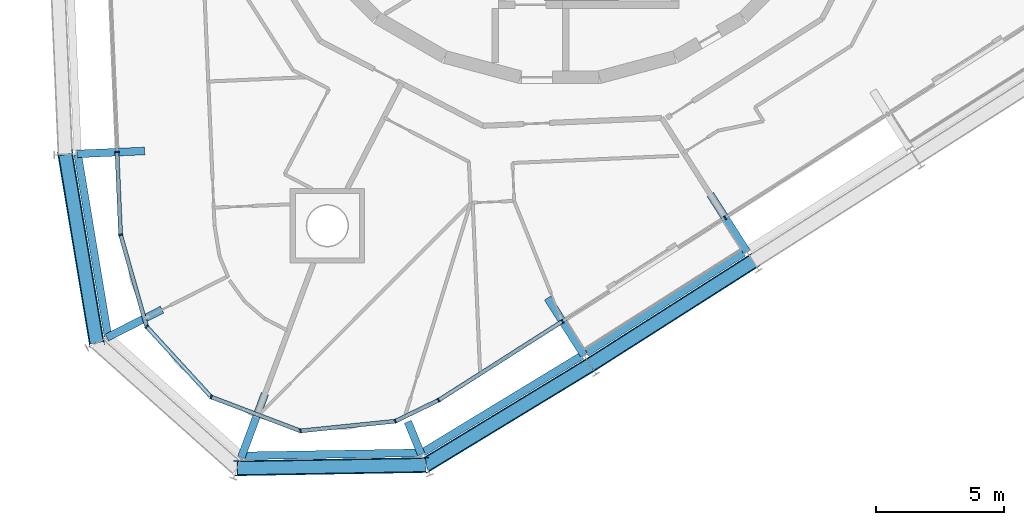
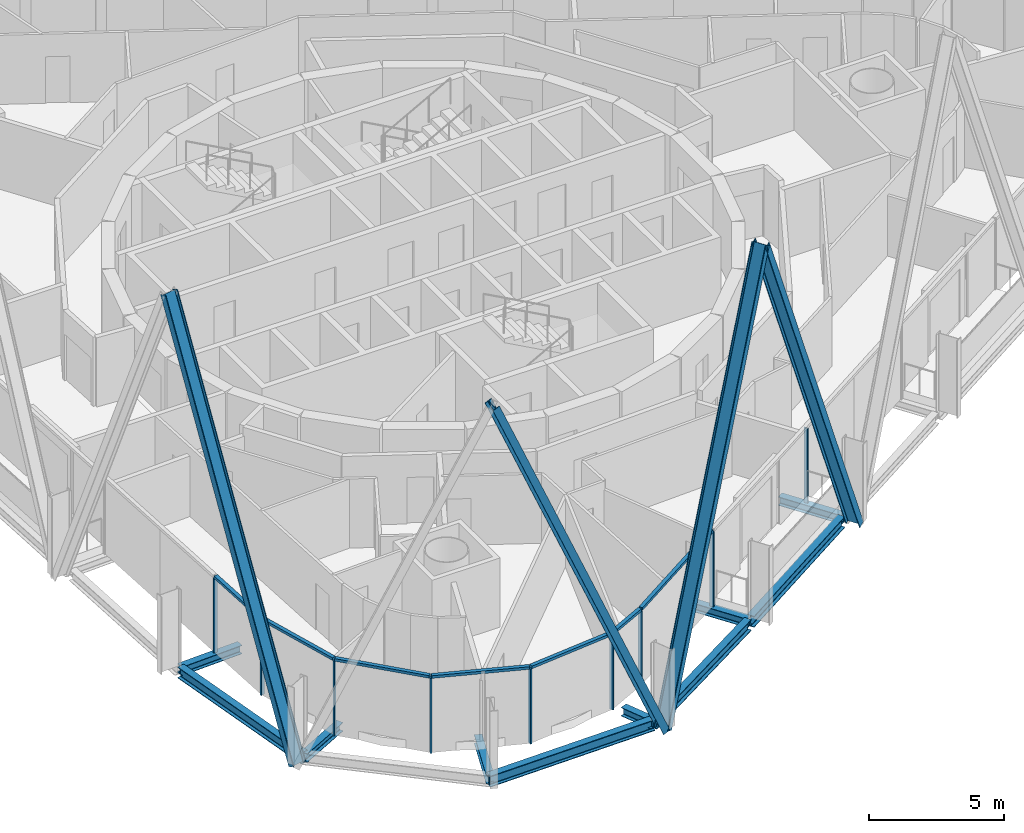
# One storey, part 2 of 18: 20 members, 10 beams, 2 elements without a shape of their own.
"""IFC4 building model written with IfcOpenShell, lengths in metres."""

from ifc_helpers import new_model, si_unit, direction, frame, origin, origin_2d, place, context, subcontext, project, spatial, rectangle, i_section, extrude, material, layer, layer_set, material_profile, profile_set, type_object, element, aggregate, save


model = new_model("IFC4")

# Units and contexts
model_context = context("Model", 3, precision=1e-05, world=origin(), true_north=direction((0.0, 1.0)))
body_context = subcontext(model_context, "Body", "Model", "MODEL_VIEW")
ifc_project = project(units=[si_unit("LENGTHUNIT", "METRE"), si_unit("AREAUNIT", "SQUARE_METRE"), si_unit("VOLUMEUNIT", "CUBIC_METRE"), si_unit("PLANEANGLEUNIT", "RADIAN"), si_unit("MASSUNIT", "GRAM", prefix="KILO")], contexts=[model_context])

# Site, building, storey
site_placement = place(None, origin())
site = spatial("IfcSite", under=ifc_project, at=site_placement, CompositionType="ELEMENT")
building_placement = place(site_placement, origin())
building = spatial("IfcBuilding", under=site, at=building_placement, Name="Spindle Arch Residences", CompositionType="ELEMENT")
storey_placement = place(building_placement, frame((0.0, 0.0, 240.699951171875)))
storey = spatial("IfcBuildingStorey", under=building, at=storey_placement, Name="L61", CompositionType="ELEMENT", Elevation=240.699951171875)

# Curtain wall, members
ifc_material_1 = material(Name="Aluminium bronze unitised frame with tinted glass", Category="aluminium")
ifc_layer_1 = layer(ifc_material_1, 0.159912109375)
ifc_layer_set_1 = layer_set([ifc_layer_1], Name="CW-D corner wall on the fillet arcs")
curtain_wall_type_1 = type_object("IfcCurtainWallType", Name="CW-D corner wall on the fillet arcs", PredefinedType="NOTDEFINED", material=ifc_layer_set_1)
curtain_wall_1_placement = place(storey_placement, origin())
curtain_wall_1 = element("IfcCurtainWall", 1, at=curtain_wall_1_placement, inside=storey, type_object=curtain_wall_type_1, Name="CW-D L61 run 5", PredefinedType="NOTDEFINED")
ifc_material_2 = material(Name="Aluminium bronze anodised mullion", Category="aluminium")
ifc_material_profile_1 = material_profile(ifc_material_2, rectangle(XDim=0.159912109375, YDim=0.06005859375, at=origin_2d()), Name="MU 60x160")
ifc_profile_set_1 = profile_set([ifc_material_profile_1], Name="Aluminium bronze anodised mullion")
member_type_1 = type_object("IfcMemberType", Name="Bronze mullion 60x160", PredefinedType="MULLION", material=ifc_profile_set_1)
member_1_placement = place(storey_placement, frame((-17.295166015625, -14.573486328125, -0.3798828125), z_axis=(0.0, 0.0, 1.0), x_axis=(0.999048221582, 0.043619387365, 0.0)))
member_1 = element("IfcMember", 2, at=member_1_placement, type_object=member_type_1, Name="CW-D mullion 00", PredefinedType="MULLION", context=body_context, shape_type="SweptSolid", body=[
    extrude(rectangle(XDim=0.159912109375, YDim=0.06005859375, at=origin_2d()), origin(), (0.0, 0.0, 1.0), 3.3798828125),
])
member_2_placement = place(storey_placement, frame((-17.154296875, -17.798828125, -0.3798828125), z_axis=(0.0, 0.0, 1.0), x_axis=(0.962059424213, 0.272839997585, 0.0)))
member_2 = element("IfcMember", 3, at=member_2_placement, type_object=member_type_1, Name="CW-D mullion 01", PredefinedType="MULLION", context=body_context, shape_type="SweptSolid", body=[
    extrude(rectangle(XDim=0.159912109375, YDim=0.06005859375, at=origin_2d()), origin(), (0.0, 0.0, 1.0), 3.3798828125),
])
member_3_placement = place(storey_placement, frame((-16.137451171875, -21.384033203125, -0.3798828125), z_axis=(0.0, 0.0, 1.0), x_axis=(0.737277336881, 0.675590207538, 0.0)))
member_3 = element("IfcMember", 4, at=member_3_placement, type_object=member_type_1, Name="CW-D mullion 02", PredefinedType="MULLION", context=body_context, shape_type="SweptSolid", body=[
    extrude(rectangle(XDim=0.159912109375, YDim=0.06005859375, at=origin_2d()), origin(), (0.0, 0.0, 1.0), 3.3798828125),
])
member_4_placement = place(storey_placement, frame((-13.61962890625, -24.1318359375, -0.3798828125), z_axis=(0.0, 0.0, 1.0), x_axis=(0.355650760994, 0.934618925661, 0.0)))
member_4 = element("IfcMember", 5, at=member_4_placement, type_object=member_type_1, Name="CW-D mullion 03", PredefinedType="MULLION", context=body_context, shape_type="SweptSolid", body=[
    extrude(rectangle(XDim=0.159912109375, YDim=0.06005859375, at=origin_2d()), origin(), (0.0, 0.0, 1.0), 3.3798828125),
])
member_5_placement = place(storey_placement, frame((-10.13671875, -25.457275390625, -0.3798828125), z_axis=(0.0, 0.0, 1.0), x_axis=(-0.10163508092, 0.994821748016, 0.0)))
member_5 = element("IfcMember", 6, at=member_5_placement, type_object=member_type_1, Name="CW-D mullion 04", PredefinedType="MULLION", context=body_context, shape_type="SweptSolid", body=[
    extrude(rectangle(XDim=0.159912109375, YDim=0.06005859375, at=origin_2d()), origin(), (0.0, 0.0, 1.0), 3.3798828125),
])
member_6_placement = place(storey_placement, frame((-6.42919921875, -25.078369140625, -0.3798828125), z_axis=(0.0, 0.0, 1.0), x_axis=(-0.435754813823, 0.900065409973, 0.0)))
member_6 = element("IfcMember", 7, at=member_6_placement, type_object=member_type_1, Name="CW-D mullion 05", PredefinedType="MULLION", context=body_context, shape_type="SweptSolid", body=[
    extrude(rectangle(XDim=0.159912109375, YDim=0.06005859375, at=origin_2d()), origin(), (0.0, 0.0, 1.0), 3.3798828125),
])
member_7_placement = place(storey_placement, frame((-4.74072265625, -24.260986328125, -0.3798828125), z_axis=(0.0, 0.0, 1.0), x_axis=(-0.537299608347, 0.843391445813, 0.0)))
member_7 = element("IfcMember", 8, at=member_7_placement, type_object=member_type_1, Name="CW-D mullion 06", PredefinedType="MULLION", context=body_context, shape_type="SweptSolid", body=[
    extrude(rectangle(XDim=0.159912109375, YDim=0.06005859375, at=origin_2d()), origin(), (0.0, 0.0, 1.0), 3.3798828125),
])

ifc_material_3 = material(Name="Aluminium bronze unitised frame with tinted glass", Category="aluminium")
ifc_layer_2 = layer(ifc_material_3, 0.159912109375)
ifc_layer_set_2 = layer_set([ifc_layer_2], Name="CW-C typical residential unitised wall")
curtain_wall_type_2 = type_object("IfcCurtainWallType", Name="CW-C typical residential unitised wall", PredefinedType="NOTDEFINED", material=ifc_layer_set_2)
curtain_wall_2_placement = place(storey_placement, origin())
curtain_wall_2 = element("IfcCurtainWall", 9, at=curtain_wall_2_placement, inside=storey, type_object=curtain_wall_type_2, Name="CW-C L61 run 6", PredefinedType="NOTDEFINED")
member_8_placement = place(storey_placement, frame((0.09912109375, -21.177734375, -0.3798828125), z_axis=(0.0, 0.0, 1.0), x_axis=(-0.537299608347, 0.843391445813, 0.0)))
member_8 = element("IfcMember", 10, at=member_8_placement, type_object=member_type_1, Name="CW-C mullion 20", PredefinedType="MULLION", context=body_context, shape_type="SweptSolid", body=[
    extrude(rectangle(XDim=0.159912109375, YDim=0.06005859375, at=origin_2d()), origin(), (0.0, 0.0, 1.0), 3.3798828125),
])
member_9_placement = place(storey_placement, frame((6.449951171875, -17.1318359375, -0.3798828125), z_axis=(0.0, 0.0, 1.0), x_axis=(-0.537299608347, 0.843391445813, 0.0)))
member_9 = element("IfcMember", 11, at=member_9_placement, type_object=member_type_1, Name="CW-C mullion 21", PredefinedType="MULLION", context=body_context, shape_type="SweptSolid", body=[
    extrude(rectangle(XDim=0.159912109375, YDim=0.06005859375, at=origin_2d()), origin(), (0.0, 0.0, 1.0), 3.3798828125),
])
aggregate(curtain_wall_2, [member_8, member_9])

# Member
ifc_material_4 = material(Name="Aluminium bronze anodised transom", Category="aluminium")
ifc_material_profile_2 = material_profile(ifc_material_4, rectangle(XDim=0.159912109375, YDim=0.1201171875, at=origin_2d()), Name="TR 120x160")
ifc_profile_set_2 = profile_set([ifc_material_profile_2], Name="Aluminium bronze anodised transom")
member_type_2 = type_object("IfcMemberType", Name="Bronze transom 120x160", PredefinedType="USERDEFINED", material=ifc_profile_set_2)
member_10_placement = place(storey_placement, frame((-17.293701171875, -14.603271484375, 3.06005859375), z_axis=(0.043611098121, -0.999048583464, 0.0), x_axis=(0.999048583464, 0.043611098121, 0.0)))
member_10 = element("IfcMember", 12, at=member_10_placement, type_object=member_type_2, Name="CW-D transom 00", ObjectType="TRANSOM", PredefinedType="USERDEFINED", context=body_context, shape_type="SweptSolid", body=[
    extrude(rectangle(XDim=0.159912109375, YDim=0.1201171875, at=origin_2d()), origin(), (0.0, 0.0, 1.0), 3.16845703125),
])

member_11_placement = place(storey_placement, frame((-17.146240234375, -17.82763671875, 3.06005859375), z_axis=(0.272856293247, -0.962054802616, 0.0), x_axis=(0.962054802616, 0.272856293247, 0.0)))
member_11 = element("IfcMember", 13, at=member_11_placement, type_object=member_type_2, Name="CW-D transom 01", ObjectType="TRANSOM", PredefinedType="USERDEFINED", context=body_context, shape_type="SweptSolid", body=[
    extrude(rectangle(XDim=0.159912109375, YDim=0.1201171875, at=origin_2d()), origin(), (0.0, 0.0, 1.0), 3.666748046875),
])

member_12_placement = place(storey_placement, frame((-16.1171875, -21.40625, 3.06005859375), z_axis=(0.675607033687, -0.737261918204, 0.0), x_axis=(0.737261918204, 0.675607033687, 0.0)))
member_12 = element("IfcMember", 14, at=member_12_placement, type_object=member_type_2, Name="CW-D transom 02", ObjectType="TRANSOM", PredefinedType="USERDEFINED", context=body_context, shape_type="SweptSolid", body=[
    extrude(rectangle(XDim=0.159912109375, YDim=0.1201171875, at=origin_2d()), origin(), (0.0, 0.0, 1.0), 3.666748046875),
])

member_13_placement = place(storey_placement, frame((-13.591796875, -24.142578125, 3.06005859375), z_axis=(0.934630056182, -0.355621509587, 0.0), x_axis=(0.355621509587, 0.934630056182, 0.0)))
member_13 = element("IfcMember", 15, at=member_13_placement, type_object=member_type_2, Name="CW-D transom 03", ObjectType="TRANSOM", PredefinedType="USERDEFINED", context=body_context, shape_type="SweptSolid", body=[
    extrude(rectangle(XDim=0.159912109375, YDim=0.1201171875, at=origin_2d()), origin(), (0.0, 0.0, 1.0), 3.666748046875),
])

member_14_placement = place(storey_placement, frame((-10.106689453125, -25.4541015625, 3.06005859375), z_axis=(0.994824669398, 0.101606481862, 0.0), x_axis=(-0.101606481862, 0.994824669398, 0.0)))
member_14 = element("IfcMember", 16, at=member_14_placement, type_object=member_type_2, Name="CW-D transom 04", ObjectType="TRANSOM", PredefinedType="USERDEFINED", context=body_context, shape_type="SweptSolid", body=[
    extrude(rectangle(XDim=0.159912109375, YDim=0.1201171875, at=origin_2d()), origin(), (0.0, 0.0, 1.0), 3.666748046875),
])

member_15_placement = place(storey_placement, frame((-6.402099609375, -25.0654296875, 3.06005859375), z_axis=(0.900028291694, 0.435831474484, 0.0), x_axis=(-0.435831474484, 0.900028291694, 0.0)))
member_15 = element("IfcMember", 17, at=member_15_placement, type_object=member_type_2, Name="CW-D transom 05", ObjectType="TRANSOM", PredefinedType="USERDEFINED", context=body_context, shape_type="SweptSolid", body=[
    extrude(rectangle(XDim=0.159912109375, YDim=0.1201171875, at=origin_2d()), origin(), (0.0, 0.0, 1.0), 1.816162109375),
])

member_16_placement = place(storey_placement, frame((-4.71533203125, -24.244873046875, 3.06005859375), z_axis=(0.843399381096, 0.537287152244, 0.0), x_axis=(-0.537287152244, 0.843399381096, 0.0)))
member_16 = element("IfcMember", 18, at=member_16_placement, type_object=member_type_2, Name="CW-D transom 06", ObjectType="TRANSOM", PredefinedType="USERDEFINED", context=body_context, shape_type="SweptSolid", body=[
    extrude(rectangle(XDim=0.159912109375, YDim=0.1201171875, at=origin_2d()), origin(), (0.0, 0.0, 1.0), 5.678466796875),
])

aggregate(curtain_wall_1, [member_1, member_10, member_2, member_11, member_3, member_12, member_4, member_13, member_5, member_14, member_6, member_15, member_7, member_16])

# Members
ifc_material_5 = material(Name="Steel S460ML, intumescent coating R 240", Category="steel")
ifc_material_profile_3 = material_profile(ifc_material_5, i_section(OverallWidth=0.300048828125, OverallDepth=0.60009765625, WebThickness=0.015380859375, FlangeThickness=0.030029296875, FilletRadius=0.027099609375, at=origin_2d()), Name="HEB 600")
ifc_profile_set_3 = profile_set([ifc_material_profile_3], Name="Steel S460ML, intumescent coating R 240")
member_type_3 = type_object("IfcMemberType", Name="Diagrid diagonal HEB 600", PredefinedType="BRACE", material=ifc_profile_set_3)
member_17_placement = place(storey_placement, frame((-18.089111328125, -22.016357421875, -0.6298828125), z_axis=(-0.065066320689, 0.390929978212, 0.918117708166), x_axis=(0.150737736989, -0.905659020103, 0.396307802034)))
element("IfcMember", 19, at=member_17_placement, inside=storey, type_object=member_type_3, Name="Diagrid diagonal 6.2.17", PredefinedType="BRACE", context=body_context, shape_type="SweptSolid", body=[
    extrude(i_section(OverallWidth=0.300048828125, OverallDepth=0.60009765625, WebThickness=0.015380859375, FlangeThickness=0.030029296875, FilletRadius=0.027099609375, at=origin_2d()), origin(), (0.0, 0.0, 1.0), 18.8134765625),
])
member_18_placement = place(storey_placement, frame((-5.243408203125, -26.78857421875, -0.6298828125), z_axis=(-0.391806429312, -0.006683986215, 0.920023394419), x_axis=(0.919889549444, 0.015692772267, 0.391863437593)))
element("IfcMember", 20, at=member_18_placement, inside=storey, type_object=member_type_3, Name="Diagrid diagonal 6.2.19", PredefinedType="BRACE", context=body_context, shape_type="SweptSolid", body=[
    extrude(i_section(OverallWidth=0.300048828125, OverallDepth=0.60009765625, WebThickness=0.015380859375, FlangeThickness=0.030029296875, FilletRadius=0.027099609375, at=origin_2d()), origin(), (0.0, 0.0, 1.0), 18.7744140625),
])
member_19_placement = place(storey_placement, frame((-5.243408203125, -26.78857421875, -0.6298828125), z_axis=(0.341190461817, 0.207391551176, 0.916830307781), x_axis=(-0.783450319765, -0.476217817522, 0.399277080152)))
element("IfcMember", 21, at=member_19_placement, inside=storey, type_object=member_type_3, Name="Diagrid diagonal 6.2.20", PredefinedType="BRACE", context=body_context, shape_type="SweptSolid", body=[
    extrude(i_section(OverallWidth=0.300048828125, OverallDepth=0.60009765625, WebThickness=0.015380859375, FlangeThickness=0.030029296875, FilletRadius=0.027099609375, at=origin_2d()), origin(), (0.0, 0.0, 1.0), 18.83984375),
])
member_20_placement = place(storey_placement, frame((7.535400390625, -18.83544921875, -0.6298828125), z_axis=(-0.337039952663, -0.214716722236, 0.916679223884), x_axis=(0.77312087987, 0.492529090116, 0.399623823738)))
element("IfcMember", 22, at=member_20_placement, inside=storey, type_object=member_type_3, Name="Diagrid diagonal 6.2.21", PredefinedType="BRACE", context=body_context, shape_type="SweptSolid", body=[
    extrude(i_section(OverallWidth=0.300048828125, OverallDepth=0.60009765625, WebThickness=0.015380859375, FlangeThickness=0.030029296875, FilletRadius=0.027099609375, at=origin_2d()), origin(), (0.0, 0.0, 1.0), 18.843017578125),
])

# Beams
ifc_material_6 = material(Name="Steel S460ML, intumescent coating R 120", Category="steel")
ifc_material_profile_4 = material_profile(ifc_material_6, i_section(OverallWidth=0.300048828125, OverallDepth=0.5, WebThickness=0.014404296875, FlangeThickness=0.028076171875, FilletRadius=0.027099609375, at=origin_2d()), Name="HEB 500")
ifc_profile_set_4 = profile_set([ifc_material_profile_4], Name="Steel S460ML, intumescent coating R 120")
beam_type_1 = type_object("IfcBeamType", Name="Exoskeleton edge beam HEB 500", PredefinedType="BEAM", material=ifc_profile_set_4)
beam_1_placement = place(storey_placement, frame((-18.82763671875, -14.66796875, -0.6298828125), z_axis=(0.164206425822, -0.986425998095, 0.0), x_axis=(0.986425998095, 0.164206425822, 0.0)))
element("IfcBeam", 23, at=beam_1_placement, inside=storey, type_object=beam_type_1, Name="Exoskeleton edge beam 17", PredefinedType="BEAM", context=body_context, shape_type="SweptSolid", body=[
    extrude(i_section(OverallWidth=0.300048828125, OverallDepth=0.5, WebThickness=0.014404296875, FlangeThickness=0.028076171875, FilletRadius=0.027099609375, at=origin_2d()), origin(), (0.0, 0.0, 1.0), 7.196044921875),
])
beam_2_placement = place(storey_placement, frame((-12.4775390625, -26.431884765625, -0.6298828125), z_axis=(0.999854421293, 0.017062714363, 0.0), x_axis=(-0.017062714363, 0.999854421293, 0.0)))
element("IfcBeam", 24, at=beam_2_placement, inside=storey, type_object=beam_type_1, Name="Exoskeleton edge beam 19", PredefinedType="BEAM", context=body_context, shape_type="SweptSolid", body=[
    extrude(i_section(OverallWidth=0.300048828125, OverallDepth=0.5, WebThickness=0.014404296875, FlangeThickness=0.028076171875, FilletRadius=0.027099609375, at=origin_2d()), origin(), (0.0, 0.0, 1.0), 7.096923828125),
])
beam_3_placement = place(storey_placement, frame((-5.353515625, -26.294921875, -0.6298828125), z_axis=(0.854518430604, 0.519421073656, 0.0), x_axis=(-0.519421073656, 0.854518430604, 0.0)))
element("IfcBeam", 25, at=beam_3_placement, inside=storey, type_object=beam_type_1, Name="Exoskeleton edge beam 20", PredefinedType="BEAM", context=body_context, shape_type="SweptSolid", body=[
    extrude(i_section(OverallWidth=0.300048828125, OverallDepth=0.5, WebThickness=0.014404296875, FlangeThickness=0.028076171875, FilletRadius=0.027099609375, at=origin_2d()), origin(), (0.0, 0.0, 1.0), 7.262451171875),
])
beam_4_placement = place(storey_placement, frame((1.0361328125, -22.406494140625, -0.6298828125), z_axis=(0.843406961456, 0.53727525289, 0.0), x_axis=(-0.53727525289, 0.843406961456, 0.0)))
element("IfcBeam", 26, at=beam_4_placement, inside=storey, type_object=beam_type_1, Name="Exoskeleton edge beam 21", PredefinedType="BEAM", context=body_context, shape_type="SweptSolid", body=[
    extrude(i_section(OverallWidth=0.300048828125, OverallDepth=0.5, WebThickness=0.014404296875, FlangeThickness=0.028076171875, FilletRadius=0.027099609375, at=origin_2d()), origin(), (0.0, 0.0, 1.0), 7.27001953125),
])
ifc_material_7 = material(Name="Steel S460ML, intumescent coating R 120", Category="steel")
ifc_material_profile_5 = material_profile(ifc_material_7, i_section(OverallWidth=0.300048828125, OverallDepth=0.389892578125, WebThickness=0.010986328125, FlangeThickness=0.01904296875, FilletRadius=0.027099609375, at=origin_2d()), Name="HEA 400")
ifc_profile_set_5 = profile_set([ifc_material_profile_5], Name="Steel S460ML, intumescent coating R 120")
beam_type_2 = type_object("IfcBeamType", Name="Floor outrigger HEA 400", PredefinedType="BEAM", material=ifc_profile_set_5)
beam_5_placement = place(storey_placement, frame((-18.863525390625, -14.641845703125, -0.574951171875), z_axis=(0.999049889571, 0.043581167368, 0.0), x_axis=(-0.043581167368, 0.999049889571, 0.0)))
element("IfcBeam", 27, at=beam_5_placement, inside=storey, type_object=beam_type_2, Name="Floor outrigger 17", PredefinedType="BEAM", context=body_context, shape_type="SweptSolid", body=[
    extrude(i_section(OverallWidth=0.300048828125, OverallDepth=0.389892578125, WebThickness=0.010986328125, FlangeThickness=0.01904296875, FilletRadius=0.027099609375, at=origin_2d()), origin(), (0.0, 0.0, 1.0), 2.649658203125),
])
beam_6_placement = place(storey_placement, frame((-17.687744140625, -21.812744140625, -0.574951171875), z_axis=(0.891781094186, 0.452467103835, 0.0), x_axis=(-0.452467103835, 0.891781094186, 0.0)))
element("IfcBeam", 28, at=beam_6_placement, inside=storey, type_object=beam_type_2, Name="Floor outrigger 18", PredefinedType="BEAM", context=body_context, shape_type="SweptSolid", body=[
    extrude(i_section(OverallWidth=0.300048828125, OverallDepth=0.389892578125, WebThickness=0.010986328125, FlangeThickness=0.01904296875, FilletRadius=0.027099609375, at=origin_2d()), origin(), (0.0, 0.0, 1.0), 2.4130859375),
])
beam_7_placement = place(storey_placement, frame((-12.442626953125, -26.4921875, -0.574951171875), z_axis=(0.348274434102, 0.937392617077, 0.0), x_axis=(-0.937392617077, 0.348274434102, 0.0)))
element("IfcBeam", 29, at=beam_7_placement, inside=storey, type_object=beam_type_2, Name="Floor outrigger 19", PredefinedType="BEAM", context=body_context, shape_type="SweptSolid", body=[
    extrude(i_section(OverallWidth=0.300048828125, OverallDepth=0.389892578125, WebThickness=0.010986328125, FlangeThickness=0.01904296875, FilletRadius=0.027099609375, at=origin_2d()), origin(), (0.0, 0.0, 1.0), 2.64990234375),
])
beam_8_placement = place(storey_placement, frame((-5.41455078125, -26.372314453125, -0.574951171875), z_axis=(-0.380108293875, 0.924941990034, 0.0), x_axis=(-0.924941990034, -0.380108293875, 0.0)))
element("IfcBeam", 30, at=beam_8_placement, inside=storey, type_object=beam_type_2, Name="Floor outrigger 20", PredefinedType="BEAM", context=body_context, shape_type="SweptSolid", body=[
    extrude(i_section(OverallWidth=0.300048828125, OverallDepth=0.389892578125, WebThickness=0.010986328125, FlangeThickness=0.01904296875, FilletRadius=0.027099609375, at=origin_2d()), origin(), (0.0, 0.0, 1.0), 1.37841796875),
])
for number, where, z_axis, x_axis, name in (
    (31, (0.942626953125, -22.501708984375, -0.574951171875), (-0.537316570745, 0.843380639334, 0.0), (-0.843380639334, -0.537316570745, 0.0), "Floor outrigger 21"),
    (32, (7.29345703125, -18.455810546875, -0.574951171875), (-0.537316570745, 0.843380639334, 0.0), (-0.843380639334, -0.537316570745, 0.0), "Floor outrigger 22"),
):
    element("IfcBeam", number, at=place(storey_placement, frame(where, z_axis=z_axis, x_axis=x_axis)), inside=storey, type_object=beam_type_2, Name=name, PredefinedType="BEAM", context=body_context, shape_type="SweptSolid", body=[
        extrude(i_section(OverallWidth=0.300048828125, OverallDepth=0.389892578125, WebThickness=0.010986328125, FlangeThickness=0.01904296875, FilletRadius=0.027099609375, at=origin_2d()), origin(), (0.0, 0.0, 1.0), 2.64990234375),
    ])

save(model, "model.ifc")
